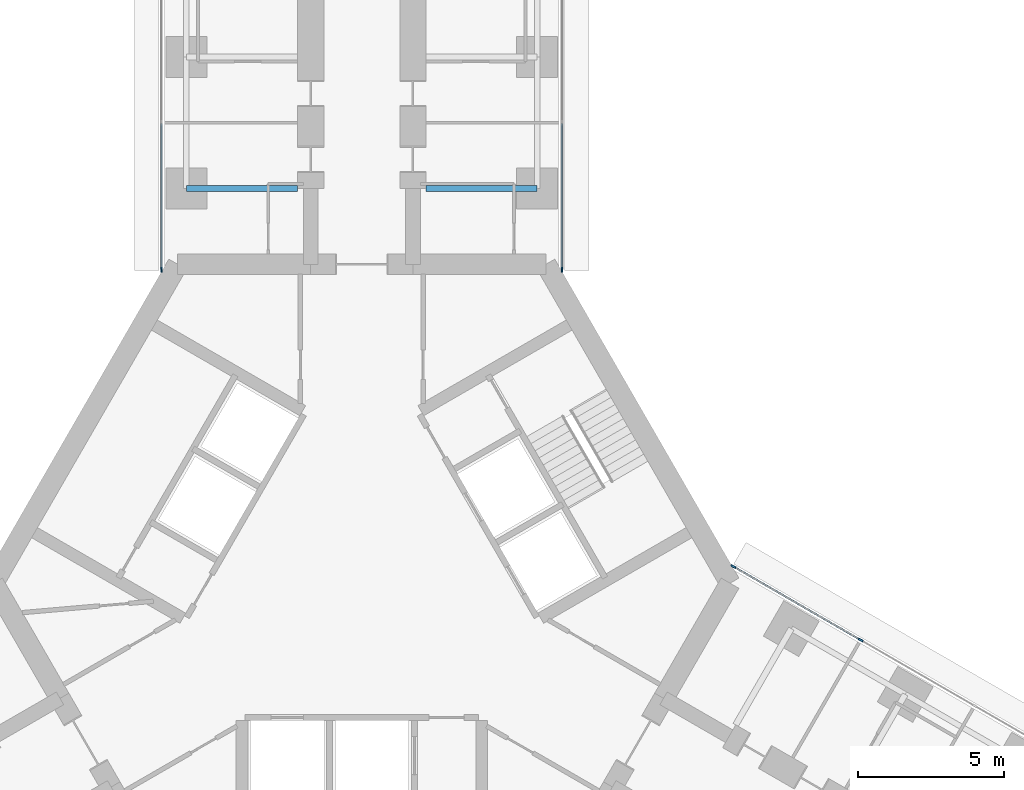
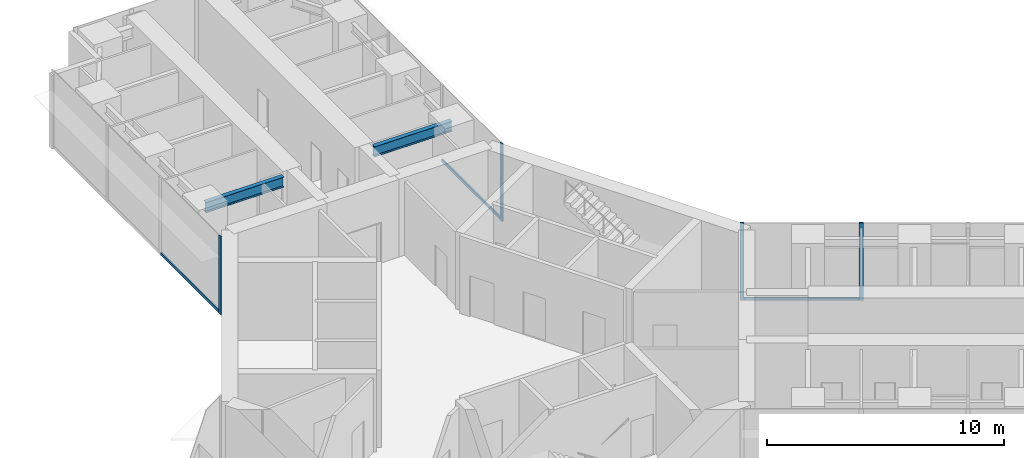
# One storey, part 11 of 25: 7 members, 2 beams, 3 elements without a shape of their own.
"""IFC4 building model written with IfcOpenShell, lengths in metres."""

from ifc_helpers import new_model, si_unit, direction, frame, origin, origin_2d, place, context, subcontext, project, spatial, rectangle, i_section, extrude, material, material_profile, profile_set, type_object, element, aggregate, save


model = new_model("IFC4")

# Units and contexts
model_context = context("Model", 3, precision=1e-05, world=origin(), true_north=direction((0.0, 1.0)))
body_context = subcontext(model_context, "Body", "Model", "MODEL_VIEW")
ifc_project = project(units=[si_unit("LENGTHUNIT", "METRE"), si_unit("AREAUNIT", "SQUARE_METRE"), si_unit("VOLUMEUNIT", "CUBIC_METRE"), si_unit("PLANEANGLEUNIT", "RADIAN"), si_unit("MASSUNIT", "GRAM", prefix="KILO")], contexts=[model_context])

# Site, building, storey
site_placement = place(None, origin())
site = spatial("IfcSite", under=ifc_project, at=site_placement, CompositionType="ELEMENT")
building_placement = place(site_placement, origin())
building = spatial("IfcBuilding", under=site, at=building_placement, Name="Upepo Twin Towers", CompositionType="ELEMENT")
storey_placement = place(building_placement, frame((0.0, 0.0, 84.5)))
storey = spatial("IfcBuildingStorey", under=building, at=storey_placement, Name="L20", CompositionType="ELEMENT", Elevation=84.5)

# Beams
ifc_material_1 = material(Name="Steel S355", Category="steel")
ifc_material_profile_1 = material_profile(ifc_material_1, i_section(OverallWidth=0.209228515625, OverallDepth=0.533203125, WebThickness=0.010009765625, FlangeThickness=0.015625, FilletRadius=0.0126953125, at=origin_2d()), Name="UB 533x210x92")
ifc_profile_set_1 = profile_set([ifc_material_profile_1], Name="Steel S355")
beam_type = type_object("IfcBeamType", Name="Beam UB 533x210x92", PredefinedType="BEAM", material=ifc_profile_set_1)
for number, where, z_axis, x_axis, name in (
    (1, (52.5, -4.5, 3.533447265625), (1.0, 0.0, 0.0), (0.0, 1.0, 0.0), "T2 girder AL at 13.5"),
    (2, (64.5, -4.5, 3.533447265625), (-1.0, 0.0, 0.0), (0.0, -1.0, 0.0), "T2 girder AR at 13.5"),
):
    element("IfcBeam", number, at=place(storey_placement, frame(where, z_axis=z_axis, x_axis=x_axis)), inside=storey, type_object=beam_type, Name=name, PredefinedType="BEAM", context=body_context, shape_type="SweptSolid", body=[
        extrude(i_section(OverallWidth=0.209228515625, OverallDepth=0.533203125, WebThickness=0.010009765625, FlangeThickness=0.015625, FilletRadius=0.0126953125, at=origin_2d()), origin(), (0.0, 0.0, 1.0), 3.800048828125),
    ])

# Curtain wall, member
ifc_material_2 = material(Name="Aluminium and fritted glass", Category="aluminium")
curtain_wall_type = type_object("IfcCurtainWallType", Name="Tower curtain wall TW1, fritted glass", PredefinedType="NOTDEFINED", material=ifc_material_2)
curtain_wall_1_placement = place(storey_placement, origin())
curtain_wall_1 = element("IfcCurtainWall", 3, at=curtain_wall_1_placement, inside=storey, type_object=curtain_wall_type, Name="T2 L20 wing A flank L curtain wall", PredefinedType="NOTDEFINED")
ifc_material_3 = material(Name="Aluminium mullion", Category="aluminium")
ifc_material_profile_2 = material_profile(ifc_material_3, rectangle(XDim=0.06494140625, YDim=0.179931640625, at=origin_2d()), Name="MULLION 65x180")
ifc_profile_set_2 = profile_set([ifc_material_profile_2], Name="Aluminium mullion")
member_type_1 = type_object("IfcMemberType", Name="Mullion 65x180 TW1", PredefinedType="MULLION", material=ifc_profile_set_2)
member_1_placement = place(storey_placement, frame((51.64990234375, -7.2802734375, 0.0), z_axis=(0.0, 0.0, 1.0), x_axis=(-1.0, 0.0, 0.0)))
member_1 = element("IfcMember", 4, at=member_1_placement, type_object=member_type_1, Name="T2 L20 wing A flank L curtain wall mullion 1", PredefinedType="MULLION", context=body_context, shape_type="SweptSolid", body=[
    extrude(rectangle(XDim=0.06494140625, YDim=0.179931640625, at=origin_2d()), origin(), (0.0, 0.0, 1.0), 4.0),
])

curtain_wall_2_placement = place(storey_placement, origin())
curtain_wall_2 = element("IfcCurtainWall", 5, at=curtain_wall_2_placement, inside=storey, type_object=curtain_wall_type, Name="T2 L20 wing A flank R curtain wall", PredefinedType="NOTDEFINED")
member_2_placement = place(storey_placement, frame((65.35009765625, -7.2802734375, 0.0), z_axis=(0.0, 0.0, 1.0), x_axis=(1.0, 0.0, 0.0)))
member_2 = element("IfcMember", 6, at=member_2_placement, type_object=member_type_1, Name="T2 L20 wing A flank R curtain wall mullion 4", PredefinedType="MULLION", context=body_context, shape_type="SweptSolid", body=[
    extrude(rectangle(XDim=0.06494140625, YDim=0.179931640625, at=origin_2d()), origin(), (0.0, 0.0, 1.0), 4.0),
])

# Curtain wall, members
curtain_wall_3_placement = place(storey_placement, origin())
curtain_wall_3 = element("IfcCurtainWall", 7, at=curtain_wall_3_placement, inside=storey, type_object=curtain_wall_type, Name="T2 L20 wing C flank L curtain wall", PredefinedType="NOTDEFINED")
member_3_placement = place(storey_placement, frame((71.20849609375, -17.427490234375, 0.0), z_axis=(0.0, 0.0, 1.0), x_axis=(0.500000024426, 0.866025389682, 0.0)))
member_3 = element("IfcMember", 8, at=member_3_placement, type_object=member_type_1, Name="T2 L20 wing C flank L curtain wall mullion 1", PredefinedType="MULLION", context=body_context, shape_type="SweptSolid", body=[
    extrude(rectangle(XDim=0.06494140625, YDim=0.179931640625, at=origin_2d()), origin(), (0.0, 0.0, 1.0), 4.0),
])
member_4_placement = place(storey_placement, frame((75.56494140625, -19.942626953125, 0.0), z_axis=(0.0, 0.0, 1.0), x_axis=(0.500000024426, 0.866025389682, 0.0)))
member_4 = element("IfcMember", 9, at=member_4_placement, type_object=member_type_1, Name="T2 L20 wing C flank L curtain wall mullion 2", PredefinedType="MULLION", context=body_context, shape_type="SweptSolid", body=[
    extrude(rectangle(XDim=0.06494140625, YDim=0.179931640625, at=origin_2d()), origin(), (0.0, 0.0, 1.0), 4.0),
])

# Member
ifc_material_4 = material(Name="Aluminium transom", Category="aluminium")
ifc_material_profile_3 = material_profile(ifc_material_4, rectangle(XDim=0.06494140625, YDim=0.14990234375, at=origin_2d()), Name="TRANSOM 65x150")
ifc_profile_set_3 = profile_set([ifc_material_profile_3], Name="Aluminium transom")
member_type_2 = type_object("IfcMemberType", Name="Transom 65x150 TW1", PredefinedType="USERDEFINED", material=ifc_profile_set_3)
member_5_placement = place(storey_placement, frame((51.64990234375, -7.247802734375, 0.074951171875), z_axis=(0.0, 1.0, 0.0), x_axis=(-1.0, 0.0, 0.0)))
member_5 = element("IfcMember", 10, at=member_5_placement, type_object=member_type_2, Name="T2 L20 wing A flank L curtain wall transom 1", ObjectType="TRANSOM", PredefinedType="USERDEFINED", context=body_context, shape_type="SweptSolid", body=[
    extrude(rectangle(XDim=0.06494140625, YDim=0.14990234375, at=origin_2d()), origin(), (0.0, 0.0, 1.0), 4.96533203125),
])

aggregate(curtain_wall_1, [member_1, member_5])

member_6_placement = place(storey_placement, frame((65.35009765625, -2.282470703125, 0.074951171875), z_axis=(0.0, -1.0, 0.0), x_axis=(1.0, 0.0, 0.0)))
member_6 = element("IfcMember", 11, at=member_6_placement, type_object=member_type_2, Name="T2 L20 wing A flank R curtain wall transom 3", ObjectType="TRANSOM", PredefinedType="USERDEFINED", context=body_context, shape_type="SweptSolid", body=[
    extrude(rectangle(XDim=0.06494140625, YDim=0.14990234375, at=origin_2d()), origin(), (0.0, 0.0, 1.0), 4.96533203125),
])

aggregate(curtain_wall_2, [member_2, member_6])

member_7_placement = place(storey_placement, frame((71.236572265625, -17.44384765625, 0.074951171875), z_axis=(0.866034933967, -0.499983492876, 0.0), x_axis=(0.499983492876, 0.866034933967, 0.0)))
member_7 = element("IfcMember", 12, at=member_7_placement, type_object=member_type_2, Name="T2 L20 wing C flank L curtain wall transom 1", ObjectType="TRANSOM", PredefinedType="USERDEFINED", context=body_context, shape_type="SweptSolid", body=[
    extrude(rectangle(XDim=0.06494140625, YDim=0.14990234375, at=origin_2d()), origin(), (0.0, 0.0, 1.0), 4.965576171875),
])

aggregate(curtain_wall_3, [member_3, member_4, member_7])

save(model, "model.ifc")
